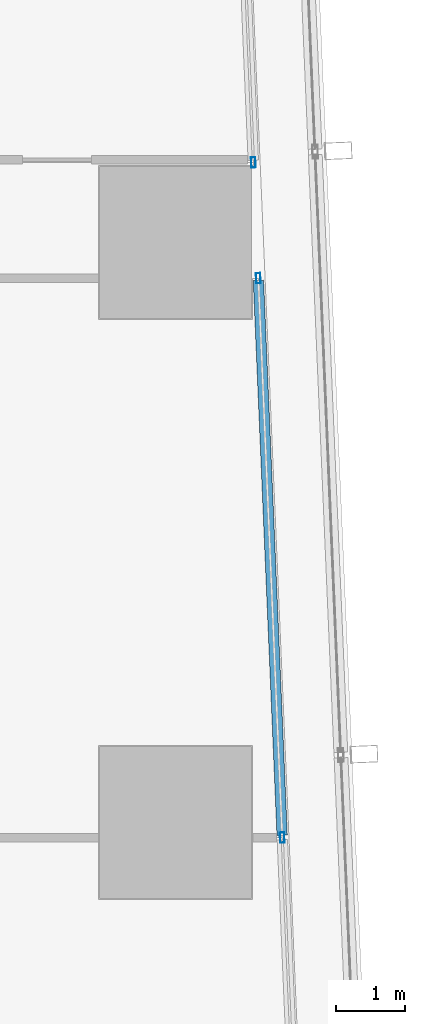
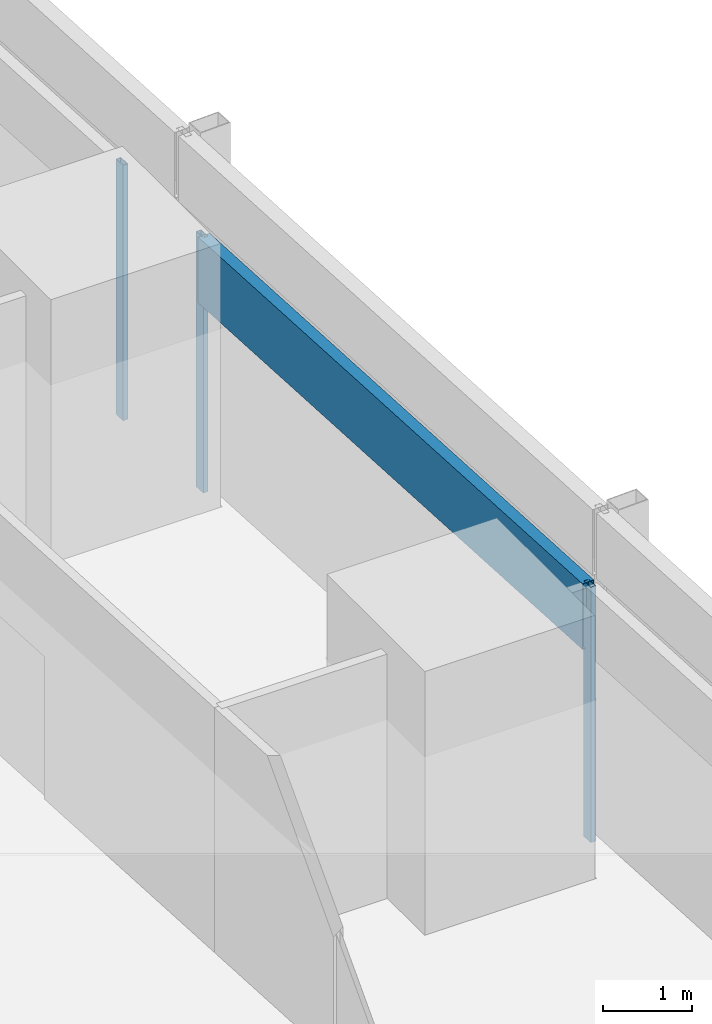
# One storey, part 20 of 44: 4 members, 2 elements without a shape of their own.
"""IFC4 building model written with IfcOpenShell, lengths in metres."""

from ifc_helpers import new_model, si_unit, direction, frame, origin, origin_2d, place, context, subcontext, project, spatial, hollow_rectangle, extrude, material, material_profile, profile_set, type_object, element, aggregate, save


model = new_model("IFC4")

# Units and contexts
model_context = context("Model", 3, precision=1e-05, world=origin(), true_north=direction((0.0, 1.0)))
body_context = subcontext(model_context, "Body", "Model", "MODEL_VIEW")
ifc_project = project(units=[si_unit("LENGTHUNIT", "METRE"), si_unit("AREAUNIT", "SQUARE_METRE"), si_unit("VOLUMEUNIT", "CUBIC_METRE"), si_unit("PLANEANGLEUNIT", "RADIAN"), si_unit("MASSUNIT", "GRAM", prefix="KILO")], contexts=[model_context])

# Site, building, storey
site_placement = place(None, origin())
site = spatial("IfcSite", under=ifc_project, at=site_placement, CompositionType="ELEMENT")
building_placement = place(site_placement, origin())
building = spatial("IfcBuilding", under=site, at=building_placement, Name="Rekha Terrace Tower", CompositionType="ELEMENT")
storey_placement = place(building_placement, frame((0.0, 0.0, 51.64990234375)))
storey = spatial("IfcBuildingStorey", under=building, at=storey_placement, Name="L12", CompositionType="ELEMENT", Elevation=51.64990234375)

# Curtain wall, members
ifc_material_1 = material(Name="Aluminium framing", Category="aluminium")
curtain_wall_type = type_object("IfcCurtainWallType", Name="CW1 double skin inner glazing", PredefinedType="USERDEFINED", material=ifc_material_1)
curtain_wall_1_placement = place(storey_placement, origin())
curtain_wall_1 = element("IfcCurtainWall", 1, at=curtain_wall_1_placement, inside=storey, type_object=curtain_wall_type, Name="CW1 double skin inner glazing", ObjectType="DOUBLE SKIN INNER GLAZING", PredefinedType="USERDEFINED")
ifc_material_2 = material(Name="Aluminium mullion section", Category="aluminium")
ifc_material_profile_1 = material_profile(ifc_material_2, hollow_rectangle(XDim=0.06494140625, YDim=0.14990234375, WallThickness=0.00390625, at=origin_2d()), Name="AL RHS 65x150")
ifc_profile_set_1 = profile_set([ifc_material_profile_1], Name="Aluminium mullion section")
member_type_1 = type_object("IfcMemberType", Name="CW1 mullion RHS 65 x 150", PredefinedType="MULLION", material=ifc_profile_set_1)
member_1_placement = place(storey_placement, frame((68.7431640625, 41.781494140625, 0.0), z_axis=(0.0, 0.0, 1.0), x_axis=(-0.999088106904, -0.042696072921, 0.0)))
member_1 = element("IfcMember", 2, at=member_1_placement, type_object=member_type_1, Name="CW1 mullion 3", PredefinedType="MULLION", context=body_context, shape_type="SweptSolid", body=[
    extrude(hollow_rectangle(XDim=0.06494140625, YDim=0.14990234375, WallThickness=0.00390625, at=origin_2d()), origin(), (0.0, 0.0, 1.0), 3.5),
])
member_2_placement = place(storey_placement, frame((68.397216796875, 49.8798828125, 0.0), z_axis=(0.0, 0.0, 1.0), x_axis=(-0.999088106904, -0.042696072921, 0.0)))
member_2 = element("IfcMember", 3, at=member_2_placement, type_object=member_type_1, Name="CW1 mullion 4", PredefinedType="MULLION", context=body_context, shape_type="SweptSolid", body=[
    extrude(hollow_rectangle(XDim=0.06494140625, YDim=0.14990234375, WallThickness=0.00390625, at=origin_2d()), origin(), (0.0, 0.0, 1.0), 3.5),
])

# Curtain wall, member
curtain_wall_2_placement = place(storey_placement, origin())
curtain_wall_2 = element("IfcCurtainWall", 4, at=curtain_wall_2_placement, inside=storey, type_object=curtain_wall_type, Name="CW1 double skin inner glazing", ObjectType="DOUBLE SKIN INNER GLAZING", PredefinedType="USERDEFINED")
member_3_placement = place(storey_placement, frame((68.325439453125, 51.556396484375, 0.0), z_axis=(0.0, 0.0, 1.0), x_axis=(-0.9990881069, -0.042696073026, 0.0)))
member_3 = element("IfcMember", 5, at=member_3_placement, type_object=member_type_1, Name="CW1 mullion 1", PredefinedType="MULLION", context=body_context, shape_type="SweptSolid", body=[
    extrude(hollow_rectangle(XDim=0.06494140625, YDim=0.14990234375, WallThickness=0.00390625, at=origin_2d()), origin(), (0.0, 0.0, 1.0), 3.5),
])
aggregate(curtain_wall_2, [member_3])

# Member
ifc_material_3 = material(Name="Insulated aluminium spandrel box", Category="aluminium")
ifc_material_profile_2 = material_profile(ifc_material_3, hollow_rectangle(XDim=0.14990234375, YDim=0.89990234375, WallThickness=0.0029296875, at=origin_2d()), Name="AL SPANDREL BOX 150x900")
ifc_profile_set_2 = profile_set([ifc_material_profile_2], Name="Insulated aluminium spandrel box")
member_type_2 = type_object("IfcMemberType", Name="CW1 spandrel transom 150 x 900", PredefinedType="USERDEFINED", material=ifc_profile_set_2)
member_4_placement = place(storey_placement, frame((68.741943359375, 41.81396484375, 3.050048828125), z_axis=(-0.042720422486, 0.999087066027, 0.0), x_axis=(-0.999087066027, -0.042720422486, 0.0)))
member_4 = element("IfcMember", 6, at=member_4_placement, type_object=member_type_2, Name="CW1 spandrel transom 3", ObjectType="TRANSOM", PredefinedType="USERDEFINED", context=body_context, shape_type="SweptSolid", body=[
    extrude(hollow_rectangle(XDim=0.14990234375, YDim=0.89990234375, WallThickness=0.0029296875, at=origin_2d()), origin(), (0.0, 0.0, 1.0), 8.040771484375),
])

aggregate(curtain_wall_1, [member_1, member_2, member_4])

save(model, "model.ifc")
